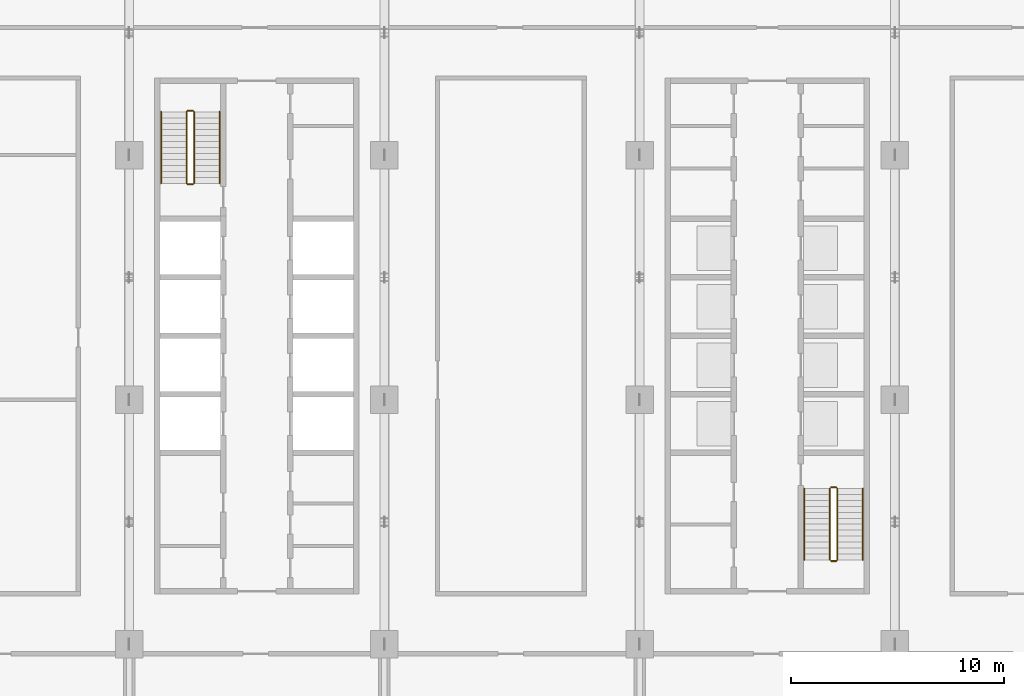
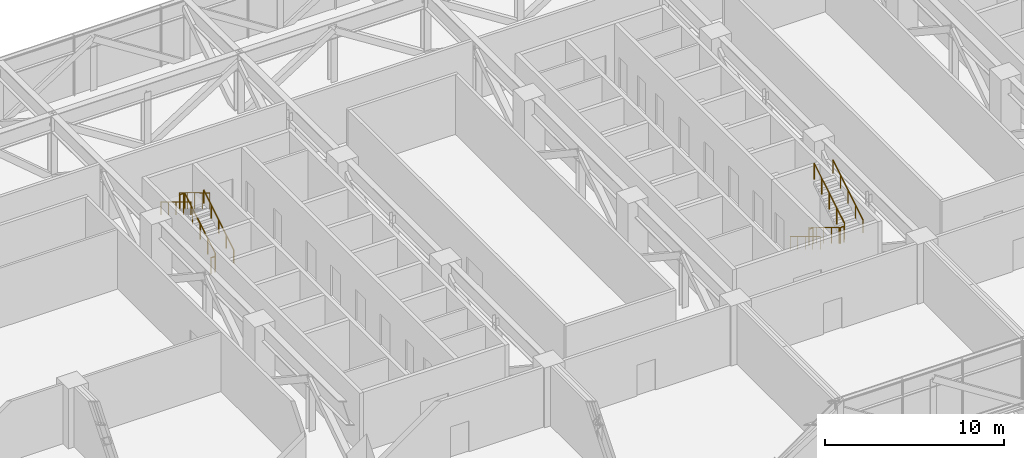
# One storey, part 28 of 30: 12 railings.
"""IFC4 building model written with IfcOpenShell, lengths in metres."""

import ifcopenshell
import ifcopenshell.guid

model = None  # the IFC model being written
_history = None  # IfcOwnerHistory: only IFC2X3 demands one
_inside = {}  # id of a spatial element -> (the spatial element, [elements in it])
_under = {}  # id of a project, library or spatial element -> (it, [spatial elements below it])
_declared = {}  # id of a project -> (the project, [libraries it declares])
_typed = {}  # id of a type object -> (the type object, [elements of that type])
_made_of = {}  # id of a material, layer set ... -> (it, [elements and type objects made of it])


def new_model(schema):
    """Start an empty IFC model of exactly this schema.

    Asked for "IFC4X3", IfcOpenShell would pick the latest addendum, in which some entities
    have other attributes; the version numbers below select the first issue.
    IFC2X3 requires an IfcOwnerHistory on every rooted entity: one is made here for all.
    """
    global model, _history
    if schema == "IFC4X3":
        model = ifcopenshell.file(schema_version=(4, 3, 0, 0))
    else:
        model = ifcopenshell.file(schema=schema)
    _inside.clear()
    _under.clear()
    _declared.clear()
    _typed.clear()
    _made_of.clear()
    _history = None
    if model.schema == "IFC2X3":
        org = make("IfcOrganization", Name="unknown")
        user = make(
            "IfcPersonAndOrganization",
            ThePerson=make("IfcPerson", FamilyName="unknown"),
            TheOrganization=org,
        )
        app = make(
            "IfcApplication",
            ApplicationDeveloper=org,
            Version="unknown",
            ApplicationFullName="unknown",
            ApplicationIdentifier="unknown",
        )
        _history = make(
            "IfcOwnerHistory",
            OwningUser=user,
            OwningApplication=app,
            ChangeAction="ADDED",
            CreationDate=0,
        )
    return model


def make(cls, **values):
    """One entity of the class cls with the attributes given. An attribute that is None is left unset."""
    return model.create_entity(
        cls, **{name: value for name, value in values.items() if value is not None}
    )


def rooted(cls, **values):
    """An entity with a GlobalId (a new one), such as an element, a storey or a relation."""
    return make(cls, GlobalId=ifcopenshell.guid.new(), OwnerHistory=_history, **values)


def si_unit(unit_type, name, prefix=None):
    """IfcSIUnit, for example si_unit("LENGTHUNIT", "METRE", prefix="MILLI")."""
    return make("IfcSIUnit", UnitType=unit_type, Prefix=prefix, Name=name)


def assignment(units):
    """IfcUnitAssignment: the units of a project."""
    return None if units is None else make("IfcUnitAssignment", Units=units)


def point(xyz):
    """IfcCartesianPoint."""
    return None if xyz is None else make("IfcCartesianPoint", Coordinates=xyz)


def direction(xyz):
    """IfcDirection."""
    return None if xyz is None else make("IfcDirection", DirectionRatios=xyz)


def frame(location, z_axis=None, x_axis=None):
    """IfcAxis2Placement3D, a coordinate frame: its origin and axes. An axis left out is left unset."""
    return make(
        "IfcAxis2Placement3D",
        Location=point(location),
        Axis=direction(z_axis),
        RefDirection=direction(x_axis),
    )


def frame_2d(location, x_axis=None):
    """IfcAxis2Placement2D, a coordinate frame in the plane: its origin and x axis."""
    return make(
        "IfcAxis2Placement2D", Location=point(location), RefDirection=direction(x_axis)
    )


def origin():
    """The frame at (0, 0, 0) with its axes left unset."""
    return frame((0.0, 0.0, 0.0))


def origin_2d():
    """The frame at (0, 0) in the plane with its x axis left unset."""
    return frame_2d((0.0, 0.0))


def place(relative_to, where):
    """IfcLocalPlacement: puts the frame where relative to a parent placement (None: the world)."""
    return make(
        "IfcLocalPlacement", PlacementRelTo=relative_to, RelativePlacement=where
    )


def context(
    kind, dimensions, precision=None, world=None, true_north=None, identifier=None
):
    """IfcGeometricRepresentationContext, for example the 3D "Model" context."""
    return make(
        "IfcGeometricRepresentationContext",
        ContextIdentifier=identifier,
        ContextType=kind,
        CoordinateSpaceDimension=dimensions,
        Precision=precision,
        WorldCoordinateSystem=world,
        TrueNorth=true_north,
    )


def subcontext(parent, identifier, kind, view, scale=None):
    """IfcGeometricRepresentationSubContext, for example "Body" below "Model"."""
    return make(
        "IfcGeometricRepresentationSubContext",
        ContextIdentifier=identifier,
        ContextType=kind,
        ParentContext=parent,
        TargetScale=scale,
        TargetView=view,
    )


def project(units=None, contexts=None):
    """IfcProject with its units and contexts."""
    return rooted(
        "IfcProject",
        Name="project",
        RepresentationContexts=contexts,
        UnitsInContext=assignment(units),
    )


def spatial(cls, under=None, at=None, **own):
    """A site, building, storey or space (cls), placed at a placement, below another one or the project."""
    s = rooted(cls, ObjectPlacement=at, **own)
    if under is not None:
        _under.setdefault(under.id(), (under, []))[1].append(s)
    return s


def profile(cls, at=None, kind="AREA", **sizes):
    """A parametric profile (cls). Its sizes go by their IFC names, for example OverallWidth=200.0."""
    return make(cls, ProfileType=kind, Position=at, **sizes)


def circle(**sizes):
    """IfcCircleProfileDef."""
    return profile("IfcCircleProfileDef", **sizes)


def extrude(swept, where, along, depth):
    """IfcExtrudedAreaSolid: the profile swept, set in the frame where, extruded along a direction by depth."""
    return make(
        "IfcExtrudedAreaSolid",
        SweptArea=swept,
        Position=where,
        ExtrudedDirection=direction(along),
        Depth=depth,
    )


def shape(context_of_items, identifier, shape_type, items):
    """IfcShapeRepresentation: the items that make up one representation, for example the "Body"."""
    return make(
        "IfcShapeRepresentation",
        ContextOfItems=context_of_items,
        RepresentationIdentifier=identifier,
        RepresentationType=shape_type,
        Items=items,
    )


def material(Name=None, Category=None):
    """IfcMaterial."""
    return make("IfcMaterial", Name=Name, Category=Category)


def made_of(thing, what):
    """Note that an element or type object is made of a material, layer set ...; save() writes the relation."""
    if what is not None:
        _made_of.setdefault(what.id(), (what, []))[1].append(thing)
    return thing


def type_object(cls, material=None, **own):
    """A type object (cls), such as IfcWallType, which elements share."""
    return made_of(rooted(cls, **own), material)


def element(
    cls,
    number,
    at=None,
    inside=None,
    cuts=None,
    type_object=None,
    material=None,
    context=None,
    identifier="Body",
    shape_type=None,
    held_by="IfcProductDefinitionShape",
    body=None,
    shapes=None,
    **own,
):
    """One element of the class cls, such as IfcWall. Its Tag is "e" and its number.

    at: its placement. inside: the storey or other place that contains it. cuts: it is an
    opening in that element (IfcRelVoidsElement). A single representation is given by context,
    identifier, shape_type and body (its items); several are given by shapes. held_by: the class
    of the entity that holds the representations. save() writes the other relations.
    """
    e = rooted(cls, Tag="e%d" % number, ObjectPlacement=at, **own)
    if body is not None:
        shapes = [shape(context, identifier, shape_type, body)]
    if shapes is not None:
        e.Representation = make(held_by, Representations=shapes)
    if inside is not None:
        _inside.setdefault(inside.id(), (inside, []))[1].append(e)
    if cuts is not None:
        rooted(
            "IfcRelVoidsElement", RelatingBuildingElement=cuts, RelatedOpeningElement=e
        )
    if type_object is not None:
        _typed.setdefault(type_object.id(), (type_object, []))[1].append(e)
    return made_of(e, material)


def aggregate(whole, parts):
    """IfcRelAggregates: a whole, such as a stair, and the parts it consists of."""
    return rooted("IfcRelAggregates", RelatingObject=whole, RelatedObjects=parts)


def save(model, path):
    """Write the relations noted so far, then the file.

    IfcRelAggregates (storeys below a building ...), IfcRelContainedInSpatialStructure (elements
    in a storey), IfcRelDefinesByType, IfcRelAssociatesMaterial and IfcRelDeclares: one each for
    every whole, place, type object, material and project.
    """
    for whole, parts in _under.values():
        aggregate(whole, parts)
    for where, things in _inside.values():
        rooted(
            "IfcRelContainedInSpatialStructure",
            RelatedElements=things,
            RelatingStructure=where,
        )
    for kind, things in _typed.values():
        rooted("IfcRelDefinesByType", RelatedObjects=things, RelatingType=kind)
    for what, things in _made_of.values():
        rooted("IfcRelAssociatesMaterial", RelatedObjects=things, RelatingMaterial=what)
    for by, libraries in _declared.values():
        rooted("IfcRelDeclares", RelatingContext=by, RelatedDefinitions=libraries)
    model.write(path)


model = new_model("IFC4")

# Units and contexts
model_context = context("Model", 3, precision=1e-05, world=origin(), true_north=direction((0.0, 1.0)))
body_context = subcontext(model_context, "Body", "Model", "MODEL_VIEW")
ifc_project = project(units=[si_unit("LENGTHUNIT", "METRE"), si_unit("AREAUNIT", "SQUARE_METRE"), si_unit("VOLUMEUNIT", "CUBIC_METRE"), si_unit("PLANEANGLEUNIT", "RADIAN"), si_unit("MASSUNIT", "GRAM", prefix="KILO")], contexts=[model_context])

# Site, building, storey
site_placement = place(None, origin())
site = spatial("IfcSite", under=ifc_project, at=site_placement, CompositionType="ELEMENT")
building_placement = place(site_placement, origin())
building = spatial("IfcBuilding", under=site, at=building_placement, Name="Mahtab Terrace Research Tower", CompositionType="ELEMENT")
storey_placement = place(building_placement, frame((0.0, 0.0, 154.800048828125)))
storey = spatial("IfcBuildingStorey", under=building, at=storey_placement, Name="L36", CompositionType="ELEMENT", Elevation=154.800048828125)

# Railings
ifc_material = material(Name="Stainless steel AISI 304", Category="steel")
railing_type_1 = type_object("IfcRailingType", Name="Stair guard 1100", PredefinedType="GUARDRAIL", material=ifc_material)
railing_1_placement = place(storey_placement, frame((-26.949951171875, 10.175048828125, 0.169189453125)))
element("IfcRailing", 1, at=railing_1_placement, inside=storey, type_object=railing_type_1, Name="L36 ST1 stair guard 1", PredefinedType="GUARDRAIL", context=body_context, shape_type="SweptSolid", body=[
    extrude(circle(Radius=0.02392578125, at=origin_2d()), frame((0.0, 0.0, 1.076171875), z_axis=(0.0, 0.855820338506, 0.51727318527), x_axis=(-1.0, 0.0, 0.0)), (0.0, 0.0, 1.0), 3.92578125),
    extrude(circle(Radius=0.02099609375, at=origin_2d()), origin(), (0.0, 0.0, 1.0), 1.052001953125),
    extrude(circle(Radius=0.02099609375, at=origin_2d()), frame((0.0, 0.83984375, 0.5078125)), (0.0, 0.0, 1.0), 1.052001953125),
    extrude(circle(Radius=0.02099609375, at=origin_2d()), frame((0.0, 1.679931640625, 1.015380859375)), (0.0, 0.0, 1.0), 1.052001953125),
    extrude(circle(Radius=0.02099609375, at=origin_2d()), frame((0.0, 2.52001953125, 1.52294921875)), (0.0, 0.0, 1.0), 1.052001953125),
    extrude(circle(Radius=0.02099609375, at=origin_2d()), frame((0.0, 3.35986328125, 2.03076171875)), (0.0, 0.0, 1.0), 1.052001953125),
])
railing_2_placement = place(storey_placement, frame((-27.0, 13.5849609375, 2.199951171875)))
element("IfcRailing", 2, at=railing_2_placement, inside=storey, type_object=railing_type_1, Name="L36 ST1 stair guard 2", PredefinedType="GUARDRAIL", context=body_context, shape_type="SweptSolid", body=[
    extrude(circle(Radius=0.02392578125, at=origin_2d()), frame((0.0, 0.0, 1.076171875), z_axis=(-1.0, 0.0, 0.0), x_axis=(0.0, -1.0, 0.0)), (0.0, 0.0, 1.0), 0.25),
    extrude(circle(Radius=0.02099609375, at=origin_2d()), origin(), (0.0, 0.0, 1.0), 1.052001953125),
    extrude(circle(Radius=0.02099609375, at=origin_2d()), frame((-0.25, 0.0, 0.0)), (0.0, 0.0, 1.0), 1.052001953125),
])
railing_3_placement = place(storey_placement, frame((-27.300048828125, 13.534912109375, 2.369140625)))
element("IfcRailing", 3, at=railing_3_placement, inside=storey, type_object=railing_type_1, Name="L36 ST1 stair guard 3", PredefinedType="GUARDRAIL", context=body_context, shape_type="SweptSolid", body=[
    extrude(circle(Radius=0.02392578125, at=origin_2d()), frame((0.0, 0.0, 1.076171875), z_axis=(0.0, -0.855820338506, 0.51727318527), x_axis=(1.0, 0.0, 0.0)), (0.0, 0.0, 1.0), 3.92578125),
    extrude(circle(Radius=0.02099609375, at=origin_2d()), origin(), (0.0, 0.0, 1.0), 1.052001953125),
    extrude(circle(Radius=0.02099609375, at=origin_2d()), frame((0.0, -0.83984375, 0.5078125)), (0.0, 0.0, 1.0), 1.052001953125),
    extrude(circle(Radius=0.02099609375, at=origin_2d()), frame((0.0, -1.679931640625, 1.015380859375)), (0.0, 0.0, 1.0), 1.052001953125),
    extrude(circle(Radius=0.02099609375, at=origin_2d()), frame((0.0, -2.52001953125, 1.52294921875)), (0.0, 0.0, 1.0), 1.052001953125),
    extrude(circle(Radius=0.02099609375, at=origin_2d()), frame((0.0, -3.35986328125, 2.03076171875)), (0.0, 0.0, 1.0), 1.052001953125),
])
railing_4_placement = place(storey_placement, frame((-27.0, 10.125, 0.0)))
element("IfcRailing", 4, at=railing_4_placement, inside=storey, type_object=railing_type_1, Name="L36 ST1 stair guard 4", PredefinedType="GUARDRAIL", context=body_context, shape_type="SweptSolid", body=[
    extrude(circle(Radius=0.02392578125, at=origin_2d()), frame((0.0, 0.0, 1.076171875), z_axis=(-1.0, 0.0, 0.0), x_axis=(0.0, -1.0, 0.0)), (0.0, 0.0, 1.0), 0.25),
    extrude(circle(Radius=0.02099609375, at=origin_2d()), origin(), (0.0, 0.0, 1.0), 1.052001953125),
    extrude(circle(Radius=0.02099609375, at=origin_2d()), frame((-0.25, 0.0, 0.0)), (0.0, 0.0, 1.0), 1.052001953125),
])
railing_5_placement = place(storey_placement, frame((2.949951171875, -4.175048828125, 0.169189453125)))
element("IfcRailing", 5, at=railing_5_placement, inside=storey, type_object=railing_type_1, Name="L36 ST2 stair guard 1", PredefinedType="GUARDRAIL", context=body_context, shape_type="SweptSolid", body=[
    extrude(circle(Radius=0.02392578125, at=origin_2d()), frame((0.0, 0.0, 1.076171875), z_axis=(0.0, -0.855820338506, 0.51727318527), x_axis=(1.0, 0.0, 0.0)), (0.0, 0.0, 1.0), 3.92578125),
    extrude(circle(Radius=0.02099609375, at=origin_2d()), origin(), (0.0, 0.0, 1.0), 1.052001953125),
    extrude(circle(Radius=0.02099609375, at=origin_2d()), frame((0.0, -0.83984375, 0.5078125)), (0.0, 0.0, 1.0), 1.052001953125),
    extrude(circle(Radius=0.02099609375, at=origin_2d()), frame((0.0, -1.679931640625, 1.015380859375)), (0.0, 0.0, 1.0), 1.052001953125),
    extrude(circle(Radius=0.02099609375, at=origin_2d()), frame((0.0, -2.52001953125, 1.52294921875)), (0.0, 0.0, 1.0), 1.052001953125),
    extrude(circle(Radius=0.02099609375, at=origin_2d()), frame((0.0, -3.35986328125, 2.03076171875)), (0.0, 0.0, 1.0), 1.052001953125),
])
railing_6_placement = place(storey_placement, frame((3.0, -7.5849609375, 2.199951171875)))
element("IfcRailing", 6, at=railing_6_placement, inside=storey, type_object=railing_type_1, Name="L36 ST2 stair guard 2", PredefinedType="GUARDRAIL", context=body_context, shape_type="SweptSolid", body=[
    extrude(circle(Radius=0.02392578125, at=origin_2d()), frame((0.0, 0.0, 1.076171875), z_axis=(1.0, 0.0, 0.0), x_axis=(0.0, 1.0, 0.0)), (0.0, 0.0, 1.0), 0.25),
    extrude(circle(Radius=0.02099609375, at=origin_2d()), origin(), (0.0, 0.0, 1.0), 1.052001953125),
    extrude(circle(Radius=0.02099609375, at=origin_2d()), frame((0.25, 0.0, 0.0)), (0.0, 0.0, 1.0), 1.052001953125),
])
railing_7_placement = place(storey_placement, frame((3.300048828125, -7.534912109375, 2.369140625)))
element("IfcRailing", 7, at=railing_7_placement, inside=storey, type_object=railing_type_1, Name="L36 ST2 stair guard 3", PredefinedType="GUARDRAIL", context=body_context, shape_type="SweptSolid", body=[
    extrude(circle(Radius=0.02392578125, at=origin_2d()), frame((0.0, 0.0, 1.076171875), z_axis=(0.0, 0.855820338506, 0.51727318527), x_axis=(-1.0, 0.0, 0.0)), (0.0, 0.0, 1.0), 3.92578125),
    extrude(circle(Radius=0.02099609375, at=origin_2d()), origin(), (0.0, 0.0, 1.0), 1.052001953125),
    extrude(circle(Radius=0.02099609375, at=origin_2d()), frame((0.0, 0.83984375, 0.5078125)), (0.0, 0.0, 1.0), 1.052001953125),
    extrude(circle(Radius=0.02099609375, at=origin_2d()), frame((0.0, 1.679931640625, 1.015380859375)), (0.0, 0.0, 1.0), 1.052001953125),
    extrude(circle(Radius=0.02099609375, at=origin_2d()), frame((0.0, 2.52001953125, 1.52294921875)), (0.0, 0.0, 1.0), 1.052001953125),
    extrude(circle(Radius=0.02099609375, at=origin_2d()), frame((0.0, 3.35986328125, 2.03076171875)), (0.0, 0.0, 1.0), 1.052001953125),
])
railing_8_placement = place(storey_placement, frame((3.0, -4.125, 0.0)))
element("IfcRailing", 8, at=railing_8_placement, inside=storey, type_object=railing_type_1, Name="L36 ST2 stair guard 4", PredefinedType="GUARDRAIL", context=body_context, shape_type="SweptSolid", body=[
    extrude(circle(Radius=0.02392578125, at=origin_2d()), frame((0.0, 0.0, 1.076171875), z_axis=(1.0, 0.0, 0.0), x_axis=(0.0, 1.0, 0.0)), (0.0, 0.0, 1.0), 0.25),
    extrude(circle(Radius=0.02099609375, at=origin_2d()), origin(), (0.0, 0.0, 1.0), 1.052001953125),
    extrude(circle(Radius=0.02099609375, at=origin_2d()), frame((0.25, 0.0, 0.0)), (0.0, 0.0, 1.0), 1.052001953125),
])
railing_type_2 = type_object("IfcRailingType", Name="Stair handrail 900", PredefinedType="HANDRAIL", material=ifc_material)
railing_9_placement = place(storey_placement, frame((-25.75, 10.175048828125, 0.169189453125)))
element("IfcRailing", 9, at=railing_9_placement, inside=storey, type_object=railing_type_2, Name="L36 ST1 stair handrail 1", PredefinedType="HANDRAIL", context=body_context, shape_type="SweptSolid", body=[
    extrude(circle(Radius=0.02392578125, at=origin_2d()), frame((0.0, 0.0, 0.8759765625), z_axis=(0.0, 0.855820338506, 0.51727318527), x_axis=(-1.0, 0.0, 0.0)), (0.0, 0.0, 1.0), 3.92578125),
    extrude(circle(Radius=0.02099609375, at=origin_2d()), origin(), (0.0, 0.0, 1.0), 0.851806640625),
    extrude(circle(Radius=0.02099609375, at=origin_2d()), frame((0.0, 0.83984375, 0.5078125)), (0.0, 0.0, 1.0), 0.851806640625),
    extrude(circle(Radius=0.02099609375, at=origin_2d()), frame((0.0, 1.679931640625, 1.015380859375)), (0.0, 0.0, 1.0), 0.851806640625),
    extrude(circle(Radius=0.02099609375, at=origin_2d()), frame((0.0, 2.52001953125, 1.52294921875)), (0.0, 0.0, 1.0), 0.851806640625),
    extrude(circle(Radius=0.02099609375, at=origin_2d()), frame((0.0, 3.35986328125, 2.03076171875)), (0.0, 0.0, 1.0), 0.851806640625),
])
for number, where, name in (
    (10, (-28.5, 13.534912109375, 2.369140625), "L36 ST1 stair handrail 2"),
    (11, (1.75, -4.175048828125, 0.169189453125), "L36 ST2 stair handrail 1"),
):
    element("IfcRailing", number, at=place(storey_placement, frame(where)), inside=storey, type_object=railing_type_2, Name=name, PredefinedType="HANDRAIL", context=body_context, shape_type="SweptSolid", body=[
        extrude(circle(Radius=0.02392578125, at=origin_2d()), frame((0.0, 0.0, 0.8759765625), z_axis=(0.0, -0.855820338506, 0.51727318527), x_axis=(1.0, 0.0, 0.0)), (0.0, 0.0, 1.0), 3.92578125),
        extrude(circle(Radius=0.02099609375, at=origin_2d()), origin(), (0.0, 0.0, 1.0), 0.851806640625),
        extrude(circle(Radius=0.02099609375, at=origin_2d()), frame((0.0, -0.83984375, 0.5078125)), (0.0, 0.0, 1.0), 0.851806640625),
        extrude(circle(Radius=0.02099609375, at=origin_2d()), frame((0.0, -1.679931640625, 1.015380859375)), (0.0, 0.0, 1.0), 0.851806640625),
        extrude(circle(Radius=0.02099609375, at=origin_2d()), frame((0.0, -2.52001953125, 1.52294921875)), (0.0, 0.0, 1.0), 0.851806640625),
        extrude(circle(Radius=0.02099609375, at=origin_2d()), frame((0.0, -3.35986328125, 2.03076171875)), (0.0, 0.0, 1.0), 0.851806640625),
    ])
railing_10_placement = place(storey_placement, frame((4.5, -7.534912109375, 2.369140625)))
element("IfcRailing", 12, at=railing_10_placement, inside=storey, type_object=railing_type_2, Name="L36 ST2 stair handrail 2", PredefinedType="HANDRAIL", context=body_context, shape_type="SweptSolid", body=[
    extrude(circle(Radius=0.02392578125, at=origin_2d()), frame((0.0, 0.0, 0.8759765625), z_axis=(0.0, 0.855820338506, 0.51727318527), x_axis=(-1.0, 0.0, 0.0)), (0.0, 0.0, 1.0), 3.92578125),
    extrude(circle(Radius=0.02099609375, at=origin_2d()), origin(), (0.0, 0.0, 1.0), 0.851806640625),
    extrude(circle(Radius=0.02099609375, at=origin_2d()), frame((0.0, 0.83984375, 0.5078125)), (0.0, 0.0, 1.0), 0.851806640625),
    extrude(circle(Radius=0.02099609375, at=origin_2d()), frame((0.0, 1.679931640625, 1.015380859375)), (0.0, 0.0, 1.0), 0.851806640625),
    extrude(circle(Radius=0.02099609375, at=origin_2d()), frame((0.0, 2.52001953125, 1.52294921875)), (0.0, 0.0, 1.0), 0.851806640625),
    extrude(circle(Radius=0.02099609375, at=origin_2d()), frame((0.0, 3.35986328125, 2.03076171875)), (0.0, 0.0, 1.0), 0.851806640625),
])

save(model, "model.ifc")
